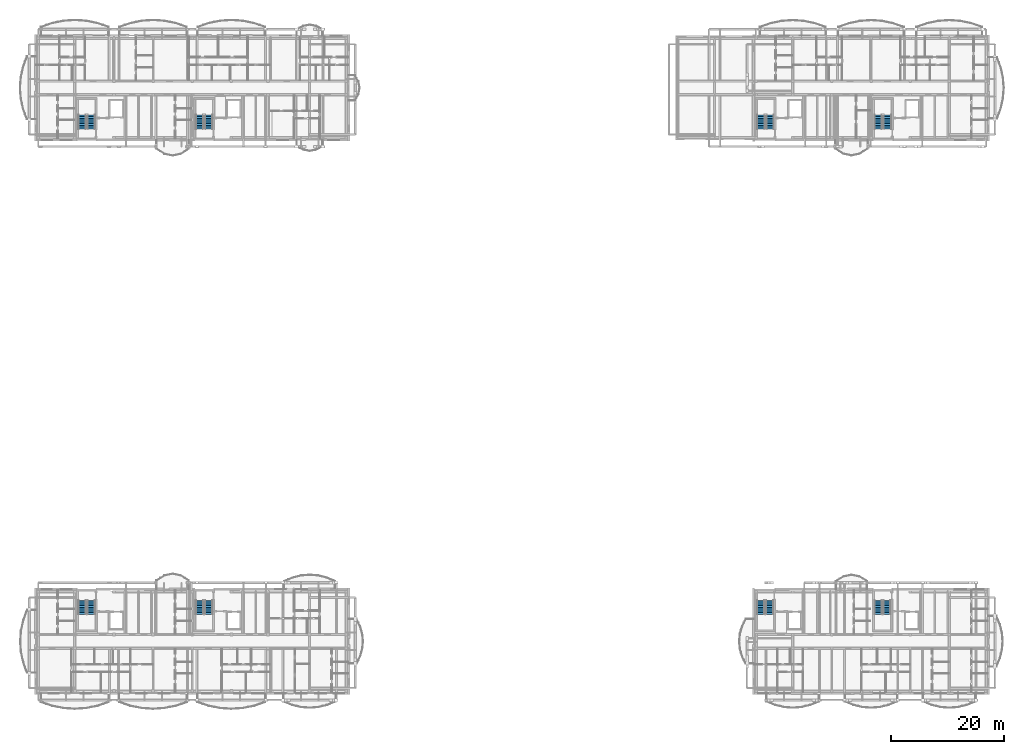
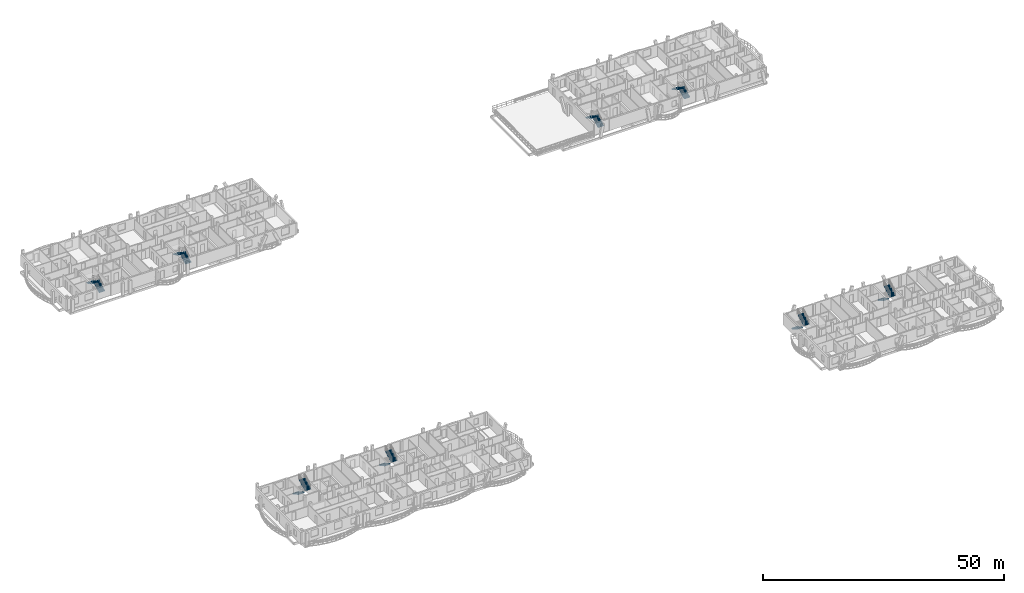
# One storey, part 34 of 44: 16 stair flights, 8 elements without a shape of their own.
"""IFC4 building model written with IfcOpenShell, lengths in metres."""

from ifc_helpers import new_model, si_unit, direction, frame, origin, place, context, subcontext, project, spatial, polyline, outline, extrude, material, type_object, element, aggregate, save


model = new_model("IFC4")

# Units and contexts
model_context = context("Model", 3, precision=1e-05, world=origin(), true_north=direction((0.0, 1.0)))
body_context = subcontext(model_context, "Body", "Model", "MODEL_VIEW")
ifc_project = project(units=[si_unit("LENGTHUNIT", "METRE"), si_unit("AREAUNIT", "SQUARE_METRE"), si_unit("VOLUMEUNIT", "CUBIC_METRE"), si_unit("PLANEANGLEUNIT", "RADIAN"), si_unit("MASSUNIT", "GRAM", prefix="KILO")], contexts=[model_context])

# Site, building, storey
site_placement = place(None, origin())
site = spatial("IfcSite", under=ifc_project, at=site_placement, CompositionType="ELEMENT")
building_placement = place(site_placement, origin())
building = spatial("IfcBuilding", under=site, at=building_placement, Name="Zavelmont Quarter", CompositionType="ELEMENT")
storey_placement = place(building_placement, frame((0.0, 0.0, 20.800048828125)))
storey = spatial("IfcBuildingStorey", under=building, at=storey_placement, Name="L06", CompositionType="ELEMENT", Elevation=20.800048828125)

# Stair, stair flights
ifc_material = material(Name="Concrete C35/45", Category="concrete")
stair_type_1 = type_object("IfcStairType", Name="STR-1350-1778", PredefinedType="HALF_TURN_STAIR", material=ifc_material)
stair_1_placement = place(storey_placement, origin())
stair_1 = element("IfcStair", 1, at=stair_1_placement, inside=storey, type_object=stair_type_1, Name="L06 protected stair ST07", PredefinedType="HALF_TURN_STAIR")
stair_flight_type_1 = type_object("IfcStairFlightType", Name="STF-1350-1778", PredefinedType="STRAIGHT", material=ifc_material)
stair_flight_1_placement = place(storey_placement, frame((127.875, 16.449951171875, 0.0), z_axis=(0.0, 0.0, 1.0), x_axis=(0.0, -1.0, 0.0)))
stair_flight_1 = element("IfcStairFlight", 2, at=stair_flight_1_placement, type_object=stair_flight_type_1, Name="ST07 flight 1", NumberOfRisers=9, NumberOfTreads=8, PredefinedType="STRAIGHT", RiserHeight=0.177777778, TreadLength=0.31, context=body_context, shape_type="SweptSolid", body=[
    extrude(outline(polyline([(0.0, 0.0), (0.0, 0.177734375), (0.31005859375, 0.177734375), (0.31005859375, 0.35546875), (0.6201171875, 0.35546875), (0.6201171875, 0.533447265625), (0.929931640625, 0.533447265625), (0.929931640625, 0.711181640625), (1.239990234375, 0.711181640625), (1.239990234375, 0.888916015625), (1.550048828125, 0.888916015625), (1.550048828125, 1.066650390625), (1.860107421875, 1.066650390625), (1.860107421875, 1.244384765625), (2.169921875, 1.244384765625), (2.169921875, 1.422119140625), (2.47998046875, 1.422119140625), (2.47998046875, 1.60009765625), (2.47998046875, 1.23779296875), (0.321533203125, 0.0), (0.0, 0.0)])), frame((0.0, 0.675048828125, 0.0), z_axis=(0.0, -1.0, 0.0), x_axis=(1.0, 0.0, 0.0)), (0.0, 0.0, 1.0), 1.35009765625),
])
stair_flight_2_placement = place(storey_placement, frame((129.425048828125, 13.969970703125, 1.599853515625), z_axis=(0.0, 0.0, 1.0), x_axis=(0.0, 1.0, 0.0)))
stair_flight_2 = element("IfcStairFlight", 3, at=stair_flight_2_placement, type_object=stair_flight_type_1, Name="ST07 flight 2", NumberOfRisers=9, NumberOfTreads=8, PredefinedType="STRAIGHT", RiserHeight=0.177777778, TreadLength=0.31, context=body_context, shape_type="SweptSolid", body=[
    extrude(outline(polyline([(0.0, 0.0), (0.0, 0.177734375), (0.31005859375, 0.177734375), (0.31005859375, 0.35546875), (0.6201171875, 0.35546875), (0.6201171875, 0.533447265625), (0.929931640625, 0.533447265625), (0.929931640625, 0.711181640625), (1.239990234375, 0.711181640625), (1.239990234375, 0.888916015625), (1.550048828125, 0.888916015625), (1.550048828125, 1.066650390625), (1.860107421875, 1.066650390625), (1.860107421875, 1.244384765625), (2.169921875, 1.244384765625), (2.169921875, 1.422119140625), (2.47998046875, 1.422119140625), (2.47998046875, 1.60009765625), (2.47998046875, 1.23779296875), (0.321533203125, 0.0), (0.0, 0.0)])), frame((0.0, 0.675048828125, 0.0), z_axis=(0.0, -1.0, 0.0), x_axis=(1.0, 0.0, 0.0)), (0.0, 0.0, 1.0), 1.35009765625),
])
aggregate(stair_1, [stair_flight_1, stair_flight_2])

stair_2_placement = place(storey_placement, origin())
stair_2 = element("IfcStair", 4, at=stair_2_placement, inside=storey, type_object=stair_type_1, Name="L06 protected stair ST08", PredefinedType="HALF_TURN_STAIR")
stair_flight_3_placement = place(storey_placement, frame((148.574951171875, 16.449951171875, 0.0), z_axis=(0.0, 0.0, 1.0), x_axis=(0.0, -1.0, 0.0)))
stair_flight_3 = element("IfcStairFlight", 5, at=stair_flight_3_placement, type_object=stair_flight_type_1, Name="ST08 flight 1", NumberOfRisers=9, NumberOfTreads=8, PredefinedType="STRAIGHT", RiserHeight=0.177777778, TreadLength=0.31, context=body_context, shape_type="SweptSolid", body=[
    extrude(outline(polyline([(0.0, 0.0), (0.0, 0.177734375), (0.31005859375, 0.177734375), (0.31005859375, 0.35546875), (0.6201171875, 0.35546875), (0.6201171875, 0.533447265625), (0.929931640625, 0.533447265625), (0.929931640625, 0.711181640625), (1.239990234375, 0.711181640625), (1.239990234375, 0.888916015625), (1.550048828125, 0.888916015625), (1.550048828125, 1.066650390625), (1.860107421875, 1.066650390625), (1.860107421875, 1.244384765625), (2.169921875, 1.244384765625), (2.169921875, 1.422119140625), (2.47998046875, 1.422119140625), (2.47998046875, 1.60009765625), (2.47998046875, 1.23779296875), (0.321533203125, 0.0), (0.0, 0.0)])), frame((0.0, 0.675048828125, 0.0), z_axis=(0.0, -1.0, 0.0), x_axis=(1.0, 0.0, 0.0)), (0.0, 0.0, 1.0), 1.35009765625),
])
stair_flight_4_placement = place(storey_placement, frame((150.125, 13.969970703125, 1.599853515625), z_axis=(0.0, 0.0, 1.0), x_axis=(0.0, 1.0, 0.0)))
stair_flight_4 = element("IfcStairFlight", 6, at=stair_flight_4_placement, type_object=stair_flight_type_1, Name="ST08 flight 2", NumberOfRisers=9, NumberOfTreads=8, PredefinedType="STRAIGHT", RiserHeight=0.177777778, TreadLength=0.31, context=body_context, shape_type="SweptSolid", body=[
    extrude(outline(polyline([(0.0, 0.0), (0.0, 0.177734375), (0.31005859375, 0.177734375), (0.31005859375, 0.35546875), (0.6201171875, 0.35546875), (0.6201171875, 0.533447265625), (0.929931640625, 0.533447265625), (0.929931640625, 0.711181640625), (1.239990234375, 0.711181640625), (1.239990234375, 0.888916015625), (1.550048828125, 0.888916015625), (1.550048828125, 1.066650390625), (1.860107421875, 1.066650390625), (1.860107421875, 1.244384765625), (2.169921875, 1.244384765625), (2.169921875, 1.422119140625), (2.47998046875, 1.422119140625), (2.47998046875, 1.60009765625), (2.47998046875, 1.23779296875), (0.321533203125, 0.0), (0.0, 0.0)])), frame((0.0, 0.675048828125, 0.0), z_axis=(0.0, -1.0, 0.0), x_axis=(1.0, 0.0, 0.0)), (0.0, 0.0, 1.0), 1.35009765625),
])
aggregate(stair_2, [stair_flight_3, stair_flight_4])

stair_type_2 = type_object("IfcStairType", Name="STR-1400-1778", PredefinedType="HALF_TURN_STAIR", material=ifc_material)
stair_3_placement = place(storey_placement, origin())
stair_3 = element("IfcStair", 7, at=stair_3_placement, inside=storey, type_object=stair_type_2, Name="L06 protected stair ST01", PredefinedType="HALF_TURN_STAIR")
stair_flight_type_2 = type_object("IfcStairFlightType", Name="STF-1400-1778", PredefinedType="STRAIGHT", material=ifc_material)
stair_flight_5_placement = place(storey_placement, frame((8.199951171875, 16.449951171875, 0.0), z_axis=(0.0, 0.0, 1.0), x_axis=(0.0, -1.0, 0.0)))
stair_flight_5 = element("IfcStairFlight", 8, at=stair_flight_5_placement, type_object=stair_flight_type_2, Name="ST01 flight 1", NumberOfRisers=9, NumberOfTreads=8, PredefinedType="STRAIGHT", RiserHeight=0.177777778, TreadLength=0.31, context=body_context, shape_type="SweptSolid", body=[
    extrude(outline(polyline([(0.0, 0.0), (0.0, 0.177734375), (0.31005859375, 0.177734375), (0.31005859375, 0.35546875), (0.6201171875, 0.35546875), (0.6201171875, 0.533447265625), (0.929931640625, 0.533447265625), (0.929931640625, 0.711181640625), (1.239990234375, 0.711181640625), (1.239990234375, 0.888916015625), (1.550048828125, 0.888916015625), (1.550048828125, 1.066650390625), (1.860107421875, 1.066650390625), (1.860107421875, 1.244384765625), (2.169921875, 1.244384765625), (2.169921875, 1.422119140625), (2.47998046875, 1.422119140625), (2.47998046875, 1.60009765625), (2.47998046875, 1.23779296875), (0.321533203125, 0.0), (0.0, 0.0)])), frame((0.0, 0.699951171875, 0.0), z_axis=(0.0, -1.0, 0.0), x_axis=(1.0, 0.0, 0.0)), (0.0, 0.0, 1.0), 1.39990234375),
])
stair_flight_6_placement = place(storey_placement, frame((9.800048828125, 13.969970703125, 1.599853515625), z_axis=(0.0, 0.0, 1.0), x_axis=(0.0, 1.0, 0.0)))
stair_flight_6 = element("IfcStairFlight", 9, at=stair_flight_6_placement, type_object=stair_flight_type_2, Name="ST01 flight 2", NumberOfRisers=9, NumberOfTreads=8, PredefinedType="STRAIGHT", RiserHeight=0.177777778, TreadLength=0.31, context=body_context, shape_type="SweptSolid", body=[
    extrude(outline(polyline([(0.0, 0.0), (0.0, 0.177734375), (0.31005859375, 0.177734375), (0.31005859375, 0.35546875), (0.6201171875, 0.35546875), (0.6201171875, 0.533447265625), (0.929931640625, 0.533447265625), (0.929931640625, 0.711181640625), (1.239990234375, 0.711181640625), (1.239990234375, 0.888916015625), (1.550048828125, 0.888916015625), (1.550048828125, 1.066650390625), (1.860107421875, 1.066650390625), (1.860107421875, 1.244384765625), (2.169921875, 1.244384765625), (2.169921875, 1.422119140625), (2.47998046875, 1.422119140625), (2.47998046875, 1.60009765625), (2.47998046875, 1.23779296875), (0.321533203125, 0.0), (0.0, 0.0)])), frame((0.0, 0.699951171875, 0.0), z_axis=(0.0, -1.0, 0.0), x_axis=(1.0, 0.0, 0.0)), (0.0, 0.0, 1.0), 1.39990234375),
])
aggregate(stair_3, [stair_flight_5, stair_flight_6])

stair_4_placement = place(storey_placement, origin())
stair_4 = element("IfcStair", 10, at=stair_4_placement, inside=storey, type_object=stair_type_2, Name="L06 protected stair ST02", PredefinedType="HALF_TURN_STAIR")
stair_flight_7_placement = place(storey_placement, frame((28.89990234375, 16.449951171875, 0.0), z_axis=(0.0, 0.0, 1.0), x_axis=(0.0, -1.0, 0.0)))
stair_flight_7 = element("IfcStairFlight", 11, at=stair_flight_7_placement, type_object=stair_flight_type_2, Name="ST02 flight 1", NumberOfRisers=9, NumberOfTreads=8, PredefinedType="STRAIGHT", RiserHeight=0.177777778, TreadLength=0.31, context=body_context, shape_type="SweptSolid", body=[
    extrude(outline(polyline([(0.0, 0.0), (0.0, 0.177734375), (0.31005859375, 0.177734375), (0.31005859375, 0.35546875), (0.6201171875, 0.35546875), (0.6201171875, 0.533447265625), (0.929931640625, 0.533447265625), (0.929931640625, 0.711181640625), (1.239990234375, 0.711181640625), (1.239990234375, 0.888916015625), (1.550048828125, 0.888916015625), (1.550048828125, 1.066650390625), (1.860107421875, 1.066650390625), (1.860107421875, 1.244384765625), (2.169921875, 1.244384765625), (2.169921875, 1.422119140625), (2.47998046875, 1.422119140625), (2.47998046875, 1.60009765625), (2.47998046875, 1.23779296875), (0.321533203125, 0.0), (0.0, 0.0)])), frame((0.0, 0.699951171875, 0.0), z_axis=(0.0, -1.0, 0.0), x_axis=(1.0, 0.0, 0.0)), (0.0, 0.0, 1.0), 1.39990234375),
])
stair_flight_8_placement = place(storey_placement, frame((30.5, 13.969970703125, 1.599853515625), z_axis=(0.0, 0.0, 1.0), x_axis=(0.0, 1.0, 0.0)))
stair_flight_8 = element("IfcStairFlight", 12, at=stair_flight_8_placement, type_object=stair_flight_type_2, Name="ST02 flight 2", NumberOfRisers=9, NumberOfTreads=8, PredefinedType="STRAIGHT", RiserHeight=0.177777778, TreadLength=0.31, context=body_context, shape_type="SweptSolid", body=[
    extrude(outline(polyline([(0.0, 0.0), (0.0, 0.177734375), (0.31005859375, 0.177734375), (0.31005859375, 0.35546875), (0.6201171875, 0.35546875), (0.6201171875, 0.533447265625), (0.929931640625, 0.533447265625), (0.929931640625, 0.711181640625), (1.239990234375, 0.711181640625), (1.239990234375, 0.888916015625), (1.550048828125, 0.888916015625), (1.550048828125, 1.066650390625), (1.860107421875, 1.066650390625), (1.860107421875, 1.244384765625), (2.169921875, 1.244384765625), (2.169921875, 1.422119140625), (2.47998046875, 1.422119140625), (2.47998046875, 1.60009765625), (2.47998046875, 1.23779296875), (0.321533203125, 0.0), (0.0, 0.0)])), frame((0.0, 0.699951171875, 0.0), z_axis=(0.0, -1.0, 0.0), x_axis=(1.0, 0.0, 0.0)), (0.0, 0.0, 1.0), 1.39990234375),
])
aggregate(stair_4, [stair_flight_7, stair_flight_8])

stair_5_placement = place(storey_placement, origin())
stair_5 = element("IfcStair", 13, at=stair_5_placement, inside=storey, type_object=stair_type_2, Name="L06 protected stair ST03", PredefinedType="HALF_TURN_STAIR")
stair_flight_9_placement = place(storey_placement, frame((9.800048828125, 99.550048828125, 0.0), z_axis=(0.0, 0.0, 1.0), x_axis=(0.0, 1.0, 0.0)))
stair_flight_9 = element("IfcStairFlight", 14, at=stair_flight_9_placement, type_object=stair_flight_type_2, Name="ST03 flight 1", NumberOfRisers=9, NumberOfTreads=8, PredefinedType="STRAIGHT", RiserHeight=0.177777778, TreadLength=0.31, context=body_context, shape_type="SweptSolid", body=[
    extrude(outline(polyline([(0.0, 0.0), (0.0, 0.177734375), (0.31005859375, 0.177734375), (0.31005859375, 0.35546875), (0.6201171875, 0.35546875), (0.6201171875, 0.533447265625), (0.929931640625, 0.533447265625), (0.929931640625, 0.711181640625), (1.239990234375, 0.711181640625), (1.239990234375, 0.888916015625), (1.550048828125, 0.888916015625), (1.550048828125, 1.066650390625), (1.860107421875, 1.066650390625), (1.860107421875, 1.244384765625), (2.169921875, 1.244384765625), (2.169921875, 1.422119140625), (2.47998046875, 1.422119140625), (2.47998046875, 1.60009765625), (2.47998046875, 1.23779296875), (0.321533203125, 0.0), (0.0, 0.0)])), frame((0.0, 0.699951171875, 0.0), z_axis=(0.0, -1.0, 0.0), x_axis=(1.0, 0.0, 0.0)), (0.0, 0.0, 1.0), 1.39990234375),
])
stair_flight_10_placement = place(storey_placement, frame((8.199951171875, 102.030029296875, 1.599853515625), z_axis=(0.0, 0.0, 1.0), x_axis=(0.0, -1.0, 0.0)))
stair_flight_10 = element("IfcStairFlight", 15, at=stair_flight_10_placement, type_object=stair_flight_type_2, Name="ST03 flight 2", NumberOfRisers=9, NumberOfTreads=8, PredefinedType="STRAIGHT", RiserHeight=0.177777778, TreadLength=0.31, context=body_context, shape_type="SweptSolid", body=[
    extrude(outline(polyline([(0.0, 0.0), (0.0, 0.177734375), (0.31005859375, 0.177734375), (0.31005859375, 0.35546875), (0.6201171875, 0.35546875), (0.6201171875, 0.533447265625), (0.929931640625, 0.533447265625), (0.929931640625, 0.711181640625), (1.239990234375, 0.711181640625), (1.239990234375, 0.888916015625), (1.550048828125, 0.888916015625), (1.550048828125, 1.066650390625), (1.860107421875, 1.066650390625), (1.860107421875, 1.244384765625), (2.169921875, 1.244384765625), (2.169921875, 1.422119140625), (2.47998046875, 1.422119140625), (2.47998046875, 1.60009765625), (2.47998046875, 1.23779296875), (0.321533203125, 0.0), (0.0, 0.0)])), frame((0.0, 0.699951171875, 0.0), z_axis=(0.0, -1.0, 0.0), x_axis=(1.0, 0.0, 0.0)), (0.0, 0.0, 1.0), 1.39990234375),
])
aggregate(stair_5, [stair_flight_9, stair_flight_10])

stair_6_placement = place(storey_placement, origin())
stair_6 = element("IfcStair", 16, at=stair_6_placement, inside=storey, type_object=stair_type_2, Name="L06 protected stair ST04", PredefinedType="HALF_TURN_STAIR")
stair_flight_11_placement = place(storey_placement, frame((30.5, 99.550048828125, 0.0), z_axis=(0.0, 0.0, 1.0), x_axis=(0.0, 1.0, 0.0)))
stair_flight_11 = element("IfcStairFlight", 17, at=stair_flight_11_placement, type_object=stair_flight_type_2, Name="ST04 flight 1", NumberOfRisers=9, NumberOfTreads=8, PredefinedType="STRAIGHT", RiserHeight=0.177777778, TreadLength=0.31, context=body_context, shape_type="SweptSolid", body=[
    extrude(outline(polyline([(0.0, 0.0), (0.0, 0.177734375), (0.31005859375, 0.177734375), (0.31005859375, 0.35546875), (0.6201171875, 0.35546875), (0.6201171875, 0.533447265625), (0.929931640625, 0.533447265625), (0.929931640625, 0.711181640625), (1.239990234375, 0.711181640625), (1.239990234375, 0.888916015625), (1.550048828125, 0.888916015625), (1.550048828125, 1.066650390625), (1.860107421875, 1.066650390625), (1.860107421875, 1.244384765625), (2.169921875, 1.244384765625), (2.169921875, 1.422119140625), (2.47998046875, 1.422119140625), (2.47998046875, 1.60009765625), (2.47998046875, 1.23779296875), (0.321533203125, 0.0), (0.0, 0.0)])), frame((0.0, 0.699951171875, 0.0), z_axis=(0.0, -1.0, 0.0), x_axis=(1.0, 0.0, 0.0)), (0.0, 0.0, 1.0), 1.39990234375),
])
stair_flight_12_placement = place(storey_placement, frame((28.89990234375, 102.030029296875, 1.599853515625), z_axis=(0.0, 0.0, 1.0), x_axis=(0.0, -1.0, 0.0)))
stair_flight_12 = element("IfcStairFlight", 18, at=stair_flight_12_placement, type_object=stair_flight_type_2, Name="ST04 flight 2", NumberOfRisers=9, NumberOfTreads=8, PredefinedType="STRAIGHT", RiserHeight=0.177777778, TreadLength=0.31, context=body_context, shape_type="SweptSolid", body=[
    extrude(outline(polyline([(0.0, 0.0), (0.0, 0.177734375), (0.31005859375, 0.177734375), (0.31005859375, 0.35546875), (0.6201171875, 0.35546875), (0.6201171875, 0.533447265625), (0.929931640625, 0.533447265625), (0.929931640625, 0.711181640625), (1.239990234375, 0.711181640625), (1.239990234375, 0.888916015625), (1.550048828125, 0.888916015625), (1.550048828125, 1.066650390625), (1.860107421875, 1.066650390625), (1.860107421875, 1.244384765625), (2.169921875, 1.244384765625), (2.169921875, 1.422119140625), (2.47998046875, 1.422119140625), (2.47998046875, 1.60009765625), (2.47998046875, 1.23779296875), (0.321533203125, 0.0), (0.0, 0.0)])), frame((0.0, 0.699951171875, 0.0), z_axis=(0.0, -1.0, 0.0), x_axis=(1.0, 0.0, 0.0)), (0.0, 0.0, 1.0), 1.39990234375),
])
aggregate(stair_6, [stair_flight_11, stair_flight_12])

stair_7_placement = place(storey_placement, origin())
stair_7 = element("IfcStair", 19, at=stair_7_placement, inside=storey, type_object=stair_type_2, Name="L06 protected stair ST05", PredefinedType="HALF_TURN_STAIR")
stair_flight_13_placement = place(storey_placement, frame((129.5, 99.550048828125, 0.0), z_axis=(0.0, 0.0, 1.0), x_axis=(0.0, 1.0, 0.0)))
stair_flight_13 = element("IfcStairFlight", 20, at=stair_flight_13_placement, type_object=stair_flight_type_2, Name="ST05 flight 1", NumberOfRisers=9, NumberOfTreads=8, PredefinedType="STRAIGHT", RiserHeight=0.177777778, TreadLength=0.31, context=body_context, shape_type="SweptSolid", body=[
    extrude(outline(polyline([(0.0, 0.0), (0.0, 0.177734375), (0.31005859375, 0.177734375), (0.31005859375, 0.35546875), (0.6201171875, 0.35546875), (0.6201171875, 0.533447265625), (0.929931640625, 0.533447265625), (0.929931640625, 0.711181640625), (1.239990234375, 0.711181640625), (1.239990234375, 0.888916015625), (1.550048828125, 0.888916015625), (1.550048828125, 1.066650390625), (1.860107421875, 1.066650390625), (1.860107421875, 1.244384765625), (2.169921875, 1.244384765625), (2.169921875, 1.422119140625), (2.47998046875, 1.422119140625), (2.47998046875, 1.60009765625), (2.47998046875, 1.23779296875), (0.321533203125, 0.0), (0.0, 0.0)])), frame((0.0, 0.699951171875, 0.0), z_axis=(0.0, -1.0, 0.0), x_axis=(1.0, 0.0, 0.0)), (0.0, 0.0, 1.0), 1.39990234375),
])
stair_flight_14_placement = place(storey_placement, frame((127.89990234375, 102.030029296875, 1.599853515625), z_axis=(0.0, 0.0, 1.0), x_axis=(0.0, -1.0, 0.0)))
stair_flight_14 = element("IfcStairFlight", 21, at=stair_flight_14_placement, type_object=stair_flight_type_2, Name="ST05 flight 2", NumberOfRisers=9, NumberOfTreads=8, PredefinedType="STRAIGHT", RiserHeight=0.177777778, TreadLength=0.31, context=body_context, shape_type="SweptSolid", body=[
    extrude(outline(polyline([(0.0, 0.0), (0.0, 0.177734375), (0.31005859375, 0.177734375), (0.31005859375, 0.35546875), (0.6201171875, 0.35546875), (0.6201171875, 0.533447265625), (0.929931640625, 0.533447265625), (0.929931640625, 0.711181640625), (1.239990234375, 0.711181640625), (1.239990234375, 0.888916015625), (1.550048828125, 0.888916015625), (1.550048828125, 1.066650390625), (1.860107421875, 1.066650390625), (1.860107421875, 1.244384765625), (2.169921875, 1.244384765625), (2.169921875, 1.422119140625), (2.47998046875, 1.422119140625), (2.47998046875, 1.60009765625), (2.47998046875, 1.23779296875), (0.321533203125, 0.0), (0.0, 0.0)])), frame((0.0, 0.699951171875, 0.0), z_axis=(0.0, -1.0, 0.0), x_axis=(1.0, 0.0, 0.0)), (0.0, 0.0, 1.0), 1.39990234375),
])
aggregate(stair_7, [stair_flight_13, stair_flight_14])

stair_8_placement = place(storey_placement, origin())
stair_8 = element("IfcStair", 22, at=stair_8_placement, inside=storey, type_object=stair_type_2, Name="L06 protected stair ST06", PredefinedType="HALF_TURN_STAIR")
stair_flight_15_placement = place(storey_placement, frame((150.199951171875, 99.550048828125, 0.0), z_axis=(0.0, 0.0, 1.0), x_axis=(0.0, 1.0, 0.0)))
stair_flight_15 = element("IfcStairFlight", 23, at=stair_flight_15_placement, type_object=stair_flight_type_2, Name="ST06 flight 1", NumberOfRisers=9, NumberOfTreads=8, PredefinedType="STRAIGHT", RiserHeight=0.177777778, TreadLength=0.31, context=body_context, shape_type="SweptSolid", body=[
    extrude(outline(polyline([(0.0, 0.0), (0.0, 0.177734375), (0.31005859375, 0.177734375), (0.31005859375, 0.35546875), (0.6201171875, 0.35546875), (0.6201171875, 0.533447265625), (0.929931640625, 0.533447265625), (0.929931640625, 0.711181640625), (1.239990234375, 0.711181640625), (1.239990234375, 0.888916015625), (1.550048828125, 0.888916015625), (1.550048828125, 1.066650390625), (1.860107421875, 1.066650390625), (1.860107421875, 1.244384765625), (2.169921875, 1.244384765625), (2.169921875, 1.422119140625), (2.47998046875, 1.422119140625), (2.47998046875, 1.60009765625), (2.47998046875, 1.23779296875), (0.321533203125, 0.0), (0.0, 0.0)])), frame((0.0, 0.699951171875, 0.0), z_axis=(0.0, -1.0, 0.0), x_axis=(1.0, 0.0, 0.0)), (0.0, 0.0, 1.0), 1.39990234375),
])
stair_flight_16_placement = place(storey_placement, frame((148.60009765625, 102.030029296875, 1.599853515625), z_axis=(0.0, 0.0, 1.0), x_axis=(0.0, -1.0, 0.0)))
stair_flight_16 = element("IfcStairFlight", 24, at=stair_flight_16_placement, type_object=stair_flight_type_2, Name="ST06 flight 2", NumberOfRisers=9, NumberOfTreads=8, PredefinedType="STRAIGHT", RiserHeight=0.177777778, TreadLength=0.31, context=body_context, shape_type="SweptSolid", body=[
    extrude(outline(polyline([(0.0, 0.0), (0.0, 0.177734375), (0.31005859375, 0.177734375), (0.31005859375, 0.35546875), (0.6201171875, 0.35546875), (0.6201171875, 0.533447265625), (0.929931640625, 0.533447265625), (0.929931640625, 0.711181640625), (1.239990234375, 0.711181640625), (1.239990234375, 0.888916015625), (1.550048828125, 0.888916015625), (1.550048828125, 1.066650390625), (1.860107421875, 1.066650390625), (1.860107421875, 1.244384765625), (2.169921875, 1.244384765625), (2.169921875, 1.422119140625), (2.47998046875, 1.422119140625), (2.47998046875, 1.60009765625), (2.47998046875, 1.23779296875), (0.321533203125, 0.0), (0.0, 0.0)])), frame((0.0, 0.699951171875, 0.0), z_axis=(0.0, -1.0, 0.0), x_axis=(1.0, 0.0, 0.0)), (0.0, 0.0, 1.0), 1.39990234375),
])
aggregate(stair_8, [stair_flight_15, stair_flight_16])

save(model, "model.ifc")
